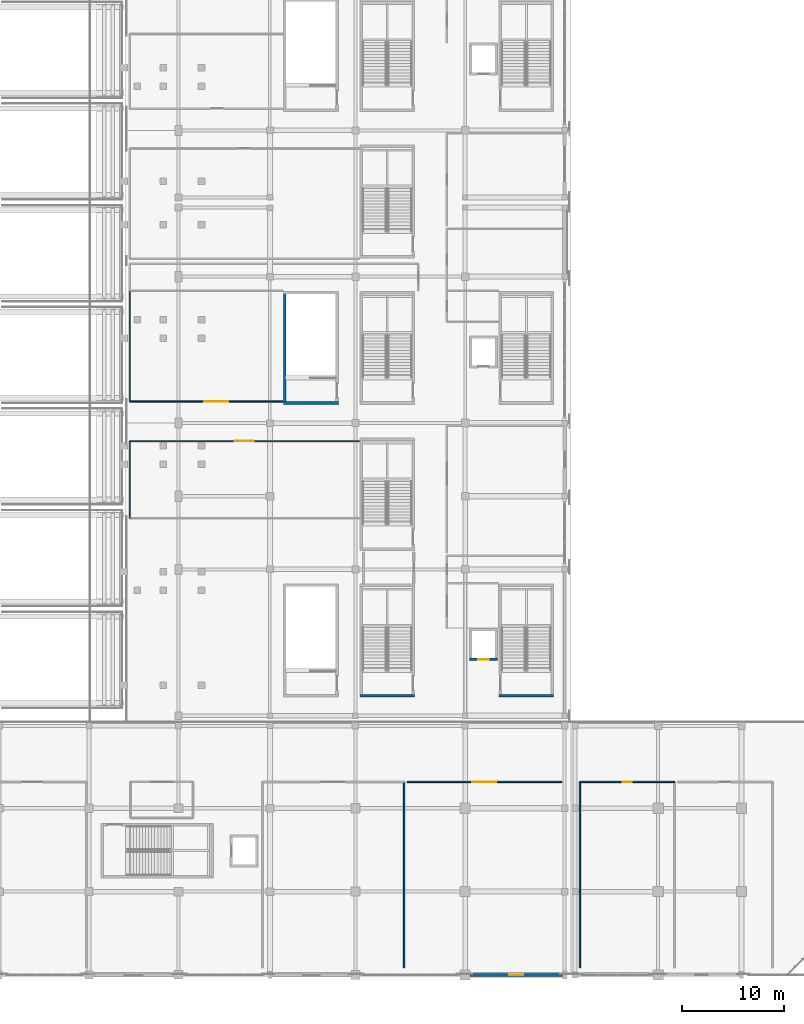
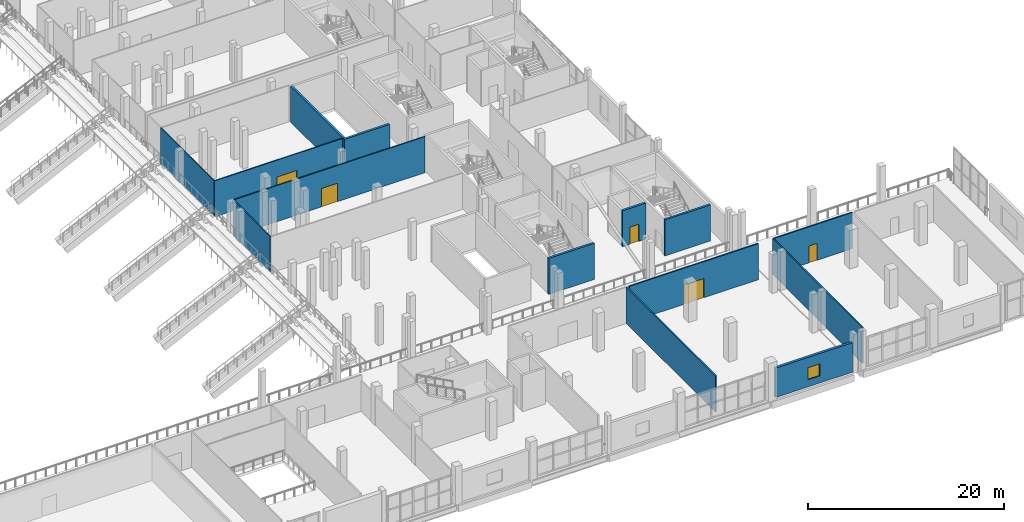
# One storey, part 79 of 129: 14 walls, 5 doors, 1 window, 6 openings.
"""IFC4 building model written with IfcOpenShell, lengths in metres."""

from ifc_helpers import new_model, si_unit, direction, frame, frame_2d, origin, place, context, subcontext, project, spatial, rectangle, extrude, material, layer, layer_set, type_object, element, fill, save


model = new_model("IFC4")

# Units and contexts
model_context = context("Model", 3, precision=1e-05, world=origin(), true_north=direction((0.0, 1.0)))
body_context = subcontext(model_context, "Body", "Model", "MODEL_VIEW")
ifc_project = project(units=[si_unit("LENGTHUNIT", "METRE"), si_unit("AREAUNIT", "SQUARE_METRE"), si_unit("VOLUMEUNIT", "CUBIC_METRE"), si_unit("PLANEANGLEUNIT", "RADIAN"), si_unit("MASSUNIT", "GRAM", prefix="KILO")], contexts=[model_context])

# Site, building, storey
site_placement = place(None, origin())
site = spatial("IfcSite", under=ifc_project, at=site_placement, CompositionType="ELEMENT")
building_placement = place(site_placement, origin())
building = spatial("IfcBuilding", under=site, at=building_placement, Name="Koshinbarg Plaza Stadium", CompositionType="ELEMENT")
storey_placement = place(building_placement, frame((0.0, 0.0, 5.39990234375)))
storey = spatial("IfcBuildingStorey", under=building, at=storey_placement, Name="L01", CompositionType="ELEMENT", Elevation=5.39990234375)

# Walls
ifc_material_1 = material(Name="Concrete C40/50", Category="concrete")
ifc_layer_1 = layer(ifc_material_1, 0.25)
ifc_layer_set_1 = layer_set([ifc_layer_1], Name="Concrete C40/50")
wall_type_1 = type_object("IfcWallType", Name="WL-CORE-250", PredefinedType="SHEAR", material=ifc_layer_set_1)
for number, where, z_axis, x_axis, name in (
    (1, (211.949951171875, 27.47509765625, 0.0), (0.0, 0.0, 1.0), (1.0, 0.0, 0.0), "L01 core stair shear wall C07-near IWL-L01-0166"),
    (2, (198.25, 27.47509765625, 0.0), (0.0, 0.0, 1.0), (1.0, 0.0, 0.0), "L01 vomitory stair shear wall VX07-near IWL-L01-0454"),
    (3, (190.75, 56.27490234375, 0.0), (0.0, 0.0, 1.0), (1.0, 0.0, 0.0), "L01 vomitory stair shear wall VL06-near IWL-L01-0590"),
):
    element("IfcWall", number, at=place(storey_placement, frame(where, z_axis=z_axis, x_axis=x_axis)), inside=storey, type_object=wall_type_1, Name=name, PredefinedType="SHEAR", context=body_context, shape_type="SweptSolid", body=[
        extrude(rectangle(XDim=5.3701171875, YDim=0.25, at=frame_2d((2.68505859375, 0.0))), origin(), (0.0, 0.0, 1.0), 4.5),
    ])
wall_1_placement = place(storey_placement, frame((190.875, 56.27490234375, 0.0), z_axis=(0.0, 0.0, 1.0), x_axis=(0.0, 1.0, 0.0)))
element("IfcWall", 4, at=wall_1_placement, inside=storey, type_object=wall_type_1, Name="L01 vomitory stair shear wall VL06-left IWL-L01-0592", PredefinedType="SHEAR", context=body_context, shape_type="SweptSolid", body=[
    extrude(rectangle(XDim=10.85009765625, YDim=0.25, at=frame_2d((5.425048828125, 0.0))), origin(), (0.0, 0.0, 1.0), 4.5),
])

# Wall, opening, door
wall_2_placement = place(storey_placement, frame((209.02490234375, 31.050048828125, 0.0), z_axis=(0.0, 0.0, 1.0), x_axis=(1.0, 0.0, 0.0)))
wall_2 = element("IfcWall", 5, at=wall_2_placement, inside=storey, type_object=wall_type_1, Name="L01 lift shaft shear wall LP03-S IWL-L01-0866", PredefinedType="SHEAR", context=body_context, shape_type="SweptSolid", body=[
    extrude(rectangle(XDim=2.75, YDim=0.25, at=frame_2d((1.375, 0.0))), origin(), (0.0, 0.0, 1.0), 4.5),
])
opening_1_placement = place(wall_2_placement, frame((0.85009765625, 0.0, 0.0)))
opening_1 = element("IfcOpeningElement", 6, at=opening_1_placement, cuts=wall_2, Name="Opening D-0286", PredefinedType="OPENING", context=body_context, shape_type="SweptSolid", body=[
    extrude(rectangle(XDim=1.050048828125, YDim=2.14990234375, at=frame_2d((0.52490234375, 1.074951171875))), frame((0.0, 0.135009765625, 0.0), z_axis=(0.0, -1.0, 0.0), x_axis=(1.0, 0.0, 0.0)), (0.0, 0.0, 1.0), 0.27001953125),
])
ifc_material_2 = material(Name="Brushed stainless steel sliding lift landing door", Category="steel")
door_type_1 = type_object("IfcDoorType", Name="DR-LIFT-1050", OperationType="NOTDEFINED", PredefinedType="DOOR", material=ifc_material_2)
door_1_placement = place(opening_1_placement, origin())
door_1 = element("IfcDoor", 7, at=door_1_placement, inside=storey, type_object=door_type_1, Name="L01 lift landing door LP03", OperationType="SLIDING_TO_RIGHT", OverallHeight=2.14990234375, OverallWidth=1.050048828125, PredefinedType="DOOR", context=body_context, shape_type="SweptSolid", body=[
    extrude(rectangle(XDim=1.050048828125, YDim=2.14990234375, at=frame_2d((0.52490234375, 1.074951171875))), frame((0.0, 0.02490234375, 0.0), z_axis=(0.0, -1.0, 0.0), x_axis=(1.0, 0.0, 0.0)), (0.0, 0.0, 1.0), 0.050048828125),
])
fill(opening_1, door_1)

# Wall, opening, window
ifc_material_3 = material(Name="Terracotta-ochre mineral plaster insulated wall", Category="masonry")
ifc_layer_2 = layer(ifc_material_3, 0.280029296875)
ifc_layer_set_2 = layer_set([ifc_layer_2], Name="Terracotta-ochre mineral plaster insulated wall")
wall_type_2 = type_object("IfcWallType", Name="WL-EXT-280", PredefinedType="SOLIDWALL", material=ifc_layer_set_2)
wall_3_placement = place(storey_placement, frame((218.179931640625, 0.0, 0.0), z_axis=(0.0, 0.0, 1.0), x_axis=(-1.0, 0.0, 0.0)))
wall_3 = element("IfcWall", 8, at=wall_3_placement, inside=storey, type_object=wall_type_2, Name="L01 exterior envelope wall EWL-L01-0100", PredefinedType="SOLIDWALL", context=body_context, shape_type="SweptSolid", body=[
    extrude(rectangle(XDim=9.0849609375, YDim=0.280029296875, at=frame_2d((4.54248046875, 0.0))), origin(), (0.0, 0.0, 1.0), 3.68017578125),
])
opening_2_placement = place(wall_3_placement, frame((3.842529296875, 0.0, 0.89990234375)))
opening_2 = element("IfcOpeningElement", 9, at=opening_2_placement, cuts=wall_3, Name="Opening WN02", PredefinedType="OPENING", context=body_context, shape_type="SweptSolid", body=[
    extrude(rectangle(XDim=1.39990234375, YDim=1.5, at=frame_2d((0.699951171875, 0.75))), frame((0.0, 0.14990234375, 0.0), z_axis=(0.0, -1.0, 0.0), x_axis=(1.0, 0.0, 0.0)), (0.0, 0.0, 1.0), 0.300048828125),
])
ifc_material_4 = material(Name="Solar-control double glazing in thermally broken aluminium frame", Category="aluminium")
window_type = type_object("IfcWindowType", Name="WN-FAC-02", PartitioningType="DOUBLE_PANEL_VERTICAL", PredefinedType="WINDOW", material=ifc_material_4)
window_placement = place(opening_2_placement, origin())
window = element("IfcWindow", 10, at=window_placement, inside=storey, type_object=window_type, Name="L01 facade window 0040", OverallHeight=1.5, OverallWidth=1.39990234375, PartitioningType="SINGLE_PANEL", PredefinedType="WINDOW", context=body_context, shape_type="SweptSolid", body=[
    extrude(rectangle(XDim=1.39990234375, YDim=1.5, at=frame_2d((0.699951171875, 0.75))), frame((0.0, 0.030029296875, 0.0), z_axis=(0.0, -1.0, 0.0), x_axis=(1.0, 0.0, 0.0)), (0.0, 0.0, 1.0), 0.06005859375),
])
fill(opening_2, window)

# Wall, opening, door
ifc_material_5 = material(Name="Gypsum board metal-stud acoustic partition")
ifc_layer_3 = layer(ifc_material_5, 0.1201171875)
ifc_layer_set_3 = layer_set([ifc_layer_3], Name="Gypsum board metal-stud acoustic partition")
wall_type_3 = type_object("IfcWallType", Name="WL-PART-120", PredefinedType="PARTITIONING", material=ifc_layer_set_3)
wall_4_placement = place(storey_placement, frame((198.169921875, 52.52001953125, 0.0), z_axis=(0.0, 0.0, 1.0), x_axis=(-1.0, 0.0, 0.0)))
wall_4 = element("IfcWall", 11, at=wall_4_placement, inside=storey, type_object=wall_type_3, Name="L01 interior partition L01-98-north IWL-L01-1401", PredefinedType="PARTITIONING", context=body_context, shape_type="SweptSolid", body=[
    extrude(rectangle(XDim=22.56982421875, YDim=0.1201171875, at=frame_2d((11.284912109375, 0.0))), origin(), (0.0, 0.0, 1.0), 4.5),
])
opening_3_placement = place(wall_4_placement, frame((10.35498046875, 0.0, 0.0)))
opening_3 = element("IfcOpeningElement", 12, at=opening_3_placement, cuts=wall_4, Name="Opening D-0464", PredefinedType="OPENING", context=body_context, shape_type="SweptSolid", body=[
    extrude(rectangle(XDim=1.860107421875, YDim=2.300048828125, at=frame_2d((0.93017578125, 1.14990234375))), frame((0.0, 0.070068359375, 0.0), z_axis=(0.0, -1.0, 0.0), x_axis=(1.0, 0.0, 0.0)), (0.0, 0.0, 1.0), 0.14013671875),
])
ifc_material_6 = material(Name="Acoustic solid-core walnut veneer fire door")
door_type_2 = type_object("IfcDoorType", Name="DR-INT-1860x2300", OperationType="NOTDEFINED", PredefinedType="DOOR", material=ifc_material_6)
door_2_placement = place(opening_3_placement, origin())
door_2 = element("IfcDoor", 13, at=door_2_placement, inside=storey, type_object=door_type_2, Name="L01 Family Supporters' Lounge door D-0464", OperationType="DOUBLE_DOOR_SINGLE_SWING", OverallHeight=2.300048828125, OverallWidth=1.860107421875, PredefinedType="DOOR", context=body_context, shape_type="SweptSolid", body=[
    extrude(rectangle(XDim=1.860107421875, YDim=2.300048828125, at=frame_2d((0.93017578125, 1.14990234375))), frame((0.0, 0.02490234375, 0.0), z_axis=(0.0, -1.0, 0.0), x_axis=(1.0, 0.0, 0.0)), (0.0, 0.0, 1.0), 0.050048828125),
])
fill(opening_3, door_2)

# Wall
wall_5_placement = place(storey_placement, frame((175.60009765625, 52.52001953125, 0.0), z_axis=(0.0, 0.0, 1.0), x_axis=(0.0, -1.0, 0.0)))
element("IfcWall", 14, at=wall_5_placement, inside=storey, type_object=wall_type_3, Name="L01 interior partition L01-98-west IWL-L01-1402", PredefinedType="PARTITIONING", context=body_context, shape_type="SweptSolid", body=[
    extrude(rectangle(XDim=7.573486328125, YDim=0.1201171875, at=frame_2d((3.78662109375, 0.0))), origin(), (0.0, 0.0, 1.0), 4.5),
])

# Wall, opening, door
wall_6_placement = place(storey_placement, frame((175.60009765625, 56.429931640625, 0.0), z_axis=(0.0, 0.0, 1.0), x_axis=(1.0, 0.0, 0.0)))
wall_6 = element("IfcWall", 15, at=wall_6_placement, inside=storey, type_object=wall_type_3, Name="L01 interior partition L01-103-south IWL-L01-1412", PredefinedType="PARTITIONING", context=body_context, shape_type="SweptSolid", body=[
    extrude(rectangle(XDim=15.06982421875, YDim=0.1201171875, at=frame_2d((7.534912109375, 0.0))), origin(), (0.0, 0.0, 1.0), 4.5),
])
opening_4_placement = place(wall_6_placement, frame((7.31591796875, 0.0, 0.0)))
opening_4 = element("IfcOpeningElement", 16, at=opening_4_placement, cuts=wall_6, Name="Opening D-0469", PredefinedType="OPENING", context=body_context, shape_type="SweptSolid", body=[
    extrude(rectangle(XDim=2.360107421875, YDim=2.39990234375, at=frame_2d((1.18017578125, 1.199951171875))), frame((0.0, 0.070068359375, 0.0), z_axis=(0.0, -1.0, 0.0), x_axis=(1.0, 0.0, 0.0)), (0.0, 0.0, 1.0), 0.14013671875),
])
ifc_material_7 = material(Name="Powder-coated steel and tempered glass double door", Category="steel")
door_type_3 = type_object("IfcDoorType", Name="DR-INT-2360x2400", OperationType="NOTDEFINED", PredefinedType="DOOR", material=ifc_material_7)
door_3_placement = place(opening_4_placement, origin())
door_3 = element("IfcDoor", 17, at=door_3_placement, inside=storey, type_object=door_type_3, Name="L01 Concession Kitchen door D-0469", OperationType="DOUBLE_DOOR_SINGLE_SWING", OverallHeight=2.39990234375, OverallWidth=2.360107421875, PredefinedType="DOOR", context=body_context, shape_type="SweptSolid", body=[
    extrude(rectangle(XDim=2.360107421875, YDim=2.39990234375, at=frame_2d((1.18017578125, 1.199951171875))), frame((0.0, 0.02490234375, 0.0), z_axis=(0.0, -1.0, 0.0), x_axis=(1.0, 0.0, 0.0)), (0.0, 0.0, 1.0), 0.050048828125),
])
fill(opening_4, door_3)

# Walls
wall_7_placement = place(storey_placement, frame((175.60009765625, 67.330078125, 0.0), z_axis=(0.0, 0.0, 1.0), x_axis=(0.0, -1.0, 0.0)))
element("IfcWall", 18, at=wall_7_placement, inside=storey, type_object=wall_type_3, Name="L01 interior partition L01-103-west IWL-L01-1414", PredefinedType="PARTITIONING", context=body_context, shape_type="SweptSolid", body=[
    extrude(rectangle(XDim=10.900146484375, YDim=0.1201171875, at=frame_2d((5.4501953125, 0.0))), origin(), (0.0, 0.0, 1.0), 4.5),
])
ifc_material_8 = material(Name="Double-layer gypsum acoustic suite partition")
ifc_layer_4 = layer(ifc_material_8, 0.14990234375)
ifc_layer_set_4 = layer_set([ifc_layer_4], Name="Double-layer gypsum acoustic suite partition")
wall_type_4 = type_object("IfcWallType", Name="WL-PART-150", PredefinedType="PARTITIONING", material=ifc_layer_set_4)
wall_8_placement = place(storey_placement, frame((202.59326171875, 0.699951171875, 0.0), z_axis=(0.0, 0.0, 1.0), x_axis=(0.0, 1.0, 0.0)))
element("IfcWall", 19, at=wall_8_placement, inside=storey, type_object=wall_type_4, Name="L01 interior partition L01-153-east IWL-L01-1552", PredefinedType="PARTITIONING", context=body_context, shape_type="SweptSolid", body=[
    extrude(rectangle(XDim=18.300048828125, YDim=0.14990234375, at=frame_2d((9.14990234375, 0.0))), origin(), (0.0, 0.0, 1.0), 4.5),
])

# Wall, opening, door
wall_9_placement = place(storey_placement, frame((218.10498046875, 19.0, 0.0), z_axis=(0.0, 0.0, 1.0), x_axis=(-1.0, 0.0, 0.0)))
wall_9 = element("IfcWall", 20, at=wall_9_placement, inside=storey, type_object=wall_type_4, Name="L01 interior partition L01-154-north IWL-L01-1555", PredefinedType="PARTITIONING", context=body_context, shape_type="SweptSolid", body=[
    extrude(rectangle(XDim=15.211669921875, YDim=0.14990234375, at=frame_2d((7.60595703125, 0.0))), origin(), (0.0, 0.0, 1.0), 4.5),
])
opening_5_placement = place(wall_9_placement, frame((6.42578125, 0.0, 0.0)))
opening_5 = element("IfcOpeningElement", 21, at=opening_5_placement, cuts=wall_9, Name="Opening D-0520", PredefinedType="OPENING", context=body_context, shape_type="SweptSolid", body=[
    extrude(rectangle(XDim=2.360107421875, YDim=2.39990234375, at=frame_2d((1.18017578125, 1.199951171875))), frame((0.0, 0.0849609375, 0.0), z_axis=(0.0, -1.0, 0.0), x_axis=(1.0, 0.0, 0.0)), (0.0, 0.0, 1.0), 0.169921875),
])
door_4_placement = place(opening_5_placement, origin())
door_4 = element("IfcDoor", 22, at=door_4_placement, inside=storey, type_object=door_type_3, Name="L01 Athlete Recovery Lounge door D-0520", OperationType="DOUBLE_DOOR_SINGLE_SWING", OverallHeight=2.39990234375, OverallWidth=2.360107421875, PredefinedType="DOOR", context=body_context, shape_type="SweptSolid", body=[
    extrude(rectangle(XDim=2.360107421875, YDim=2.39990234375, at=frame_2d((1.18017578125, 1.199951171875))), frame((0.0, 0.02490234375, 0.0), z_axis=(0.0, -1.0, 0.0), x_axis=(1.0, 0.0, 0.0)), (0.0, 0.0, 1.0), 0.050048828125),
])
fill(opening_5, door_4)

wall_10_placement = place(storey_placement, frame((229.222412109375, 19.0, 0.0), z_axis=(0.0, 0.0, 1.0), x_axis=(-1.0, 0.0, 0.0)))
wall_10 = element("IfcWall", 23, at=wall_10_placement, inside=storey, type_object=wall_type_4, Name="L01 interior partition L01-155-north IWL-L01-1557", PredefinedType="PARTITIONING", context=body_context, shape_type="SweptSolid", body=[
    extrude(rectangle(XDim=9.327392578125, YDim=0.14990234375, at=frame_2d((4.66357421875, 0.0))), origin(), (0.0, 0.0, 1.0), 4.5),
])
opening_6_placement = place(wall_10_placement, frame((4.20361328125, 0.0, 0.0)))
opening_6 = element("IfcOpeningElement", 24, at=opening_6_placement, cuts=wall_10, Name="Opening D-0521", PredefinedType="OPENING", context=body_context, shape_type="SweptSolid", body=[
    extrude(rectangle(XDim=0.919921875, YDim=2.10009765625, at=frame_2d((0.4599609375, 1.050048828125))), frame((0.0, 0.0849609375, 0.0), z_axis=(0.0, -1.0, 0.0), x_axis=(1.0, 0.0, 0.0)), (0.0, 0.0, 1.0), 0.169921875),
])
ifc_material_9 = material(Name="Solid-core oak veneer acoustic door")
door_type_4 = type_object("IfcDoorType", Name="DR-INT-0920x2100", OperationType="NOTDEFINED", PredefinedType="DOOR", material=ifc_material_9)
door_5_placement = place(opening_6_placement, origin())
door_5 = element("IfcDoor", 25, at=door_5_placement, inside=storey, type_object=door_type_4, Name="L01 Media Mixed Zone Hall door D-0521", OperationType="SINGLE_SWING_LEFT", OverallHeight=2.10009765625, OverallWidth=0.919921875, PredefinedType="DOOR", context=body_context, shape_type="SweptSolid", body=[
    extrude(rectangle(XDim=0.919921875, YDim=2.10009765625, at=frame_2d((0.4599609375, 1.050048828125))), frame((0.0, 0.02490234375, 0.0), z_axis=(0.0, -1.0, 0.0), x_axis=(1.0, 0.0, 0.0)), (0.0, 0.0, 1.0), 0.050048828125),
])
fill(opening_6, door_5)

# Wall
wall_11_placement = place(storey_placement, frame((219.89501953125, 19.0, 0.0), z_axis=(0.0, 0.0, 1.0), x_axis=(0.0, -1.0, 0.0)))
element("IfcWall", 26, at=wall_11_placement, inside=storey, type_object=wall_type_4, Name="L01 interior partition L01-155-west IWL-L01-1558", PredefinedType="PARTITIONING", context=body_context, shape_type="SweptSolid", body=[
    extrude(rectangle(XDim=18.300048828125, YDim=0.14990234375, at=frame_2d((9.14990234375, 0.0))), origin(), (0.0, 0.0, 1.0), 4.5),
])

save(model, "model.ifc")
